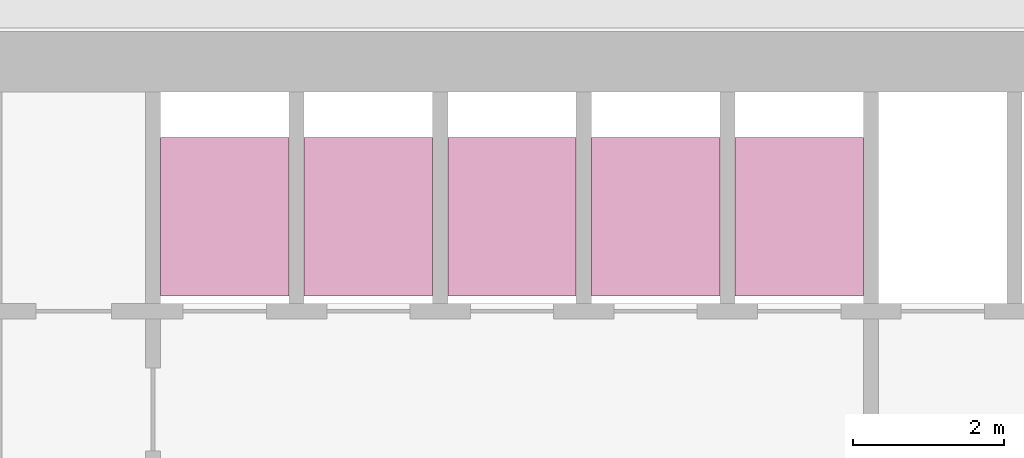
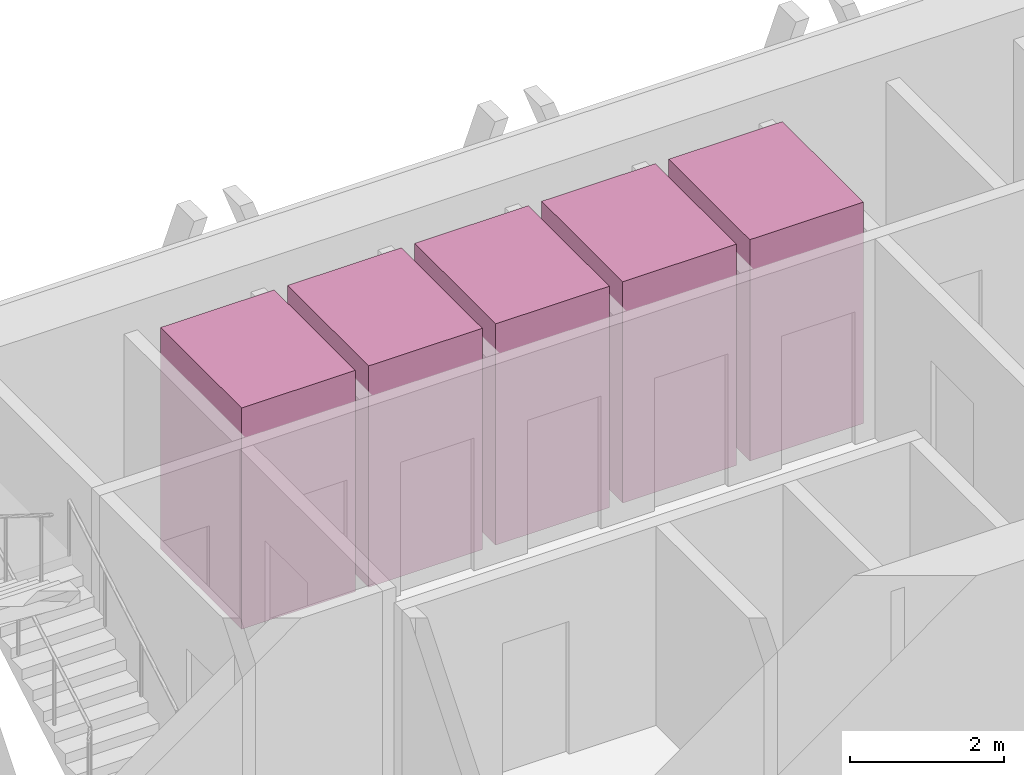
# One storey, part 16 of 16: 5 transport elements.
"""IFC4 building model written with IfcOpenShell, lengths in metres."""

from ifc_helpers import new_model, si_unit, direction, frame, origin, origin_2d, place, context, subcontext, project, spatial, rectangle, extrude, material, type_object, element, save


model = new_model("IFC4")

# Units and contexts
model_context = context("Model", 3, precision=1e-05, world=origin(), true_north=direction((0.0, 1.0)))
body_context = subcontext(model_context, "Body", "Model", "MODEL_VIEW")
ifc_project = project(units=[si_unit("LENGTHUNIT", "METRE"), si_unit("AREAUNIT", "SQUARE_METRE"), si_unit("VOLUMEUNIT", "CUBIC_METRE"), si_unit("PLANEANGLEUNIT", "RADIAN"), si_unit("MASSUNIT", "GRAM", prefix="KILO")], contexts=[model_context])

# Site, building, storey
site_placement = place(None, origin())
site = spatial("IfcSite", under=ifc_project, at=site_placement, CompositionType="ELEMENT")
building_placement = place(site_placement, origin())
building = spatial("IfcBuilding", under=site, at=building_placement, Name="Altiplano Prism Tower", CompositionType="ELEMENT")
storey_placement = place(building_placement, frame((0.0, 0.0, 131.39990234375)))
storey = spatial("IfcBuildingStorey", under=building, at=storey_placement, Name="L33", CompositionType="ELEMENT", Elevation=131.39990234375)

# Transport elements
ifc_material = material(Name="Stainless steel lift car", Category="steel")
transport_element_type = type_object("IfcTransportElementType", Name="Passenger lift car 1600 x 2100", PredefinedType="ELEVATOR", material=ifc_material)
for number, where, z_axis, x_axis, name in (
    (1, (79.050048828125, 101.75, 0.050048828125), (0.0, 0.0, 1.0), (1.0, 0.0, 0.0), "Mid Zone Passenger Lift 1"),
    (2, (80.949951171875, 101.75, 0.050048828125), (0.0, 0.0, 1.0), (1.0, 0.0, 0.0), "Mid Zone Passenger Lift 2"),
    (3, (82.85009765625, 101.75, 0.050048828125), (0.0, 0.0, 1.0), (1.0, 0.0, 0.0), "Mid Zone Passenger Lift 3"),
    (4, (84.75, 101.75, 0.050048828125), (0.0, 0.0, 1.0), (1.0, 0.0, 0.0), "Mid Zone Passenger Lift 4"),
    (5, (86.64990234375, 101.75, 0.050048828125), (0.0, 0.0, 1.0), (1.0, 0.0, 0.0), "Mid Zone Passenger Lift 5"),
):
    element("IfcTransportElement", number, at=place(storey_placement, frame(where, z_axis=z_axis, x_axis=x_axis)), inside=storey, type_object=transport_element_type, Name=name, PredefinedType="ELEVATOR", context=body_context, shape_type="SweptSolid", body=[
        extrude(rectangle(XDim=1.699951171875, YDim=2.10009765625, at=origin_2d()), origin(), (0.0, 0.0, 1.0), 3.5),
    ])

save(model, "model.ifc")
